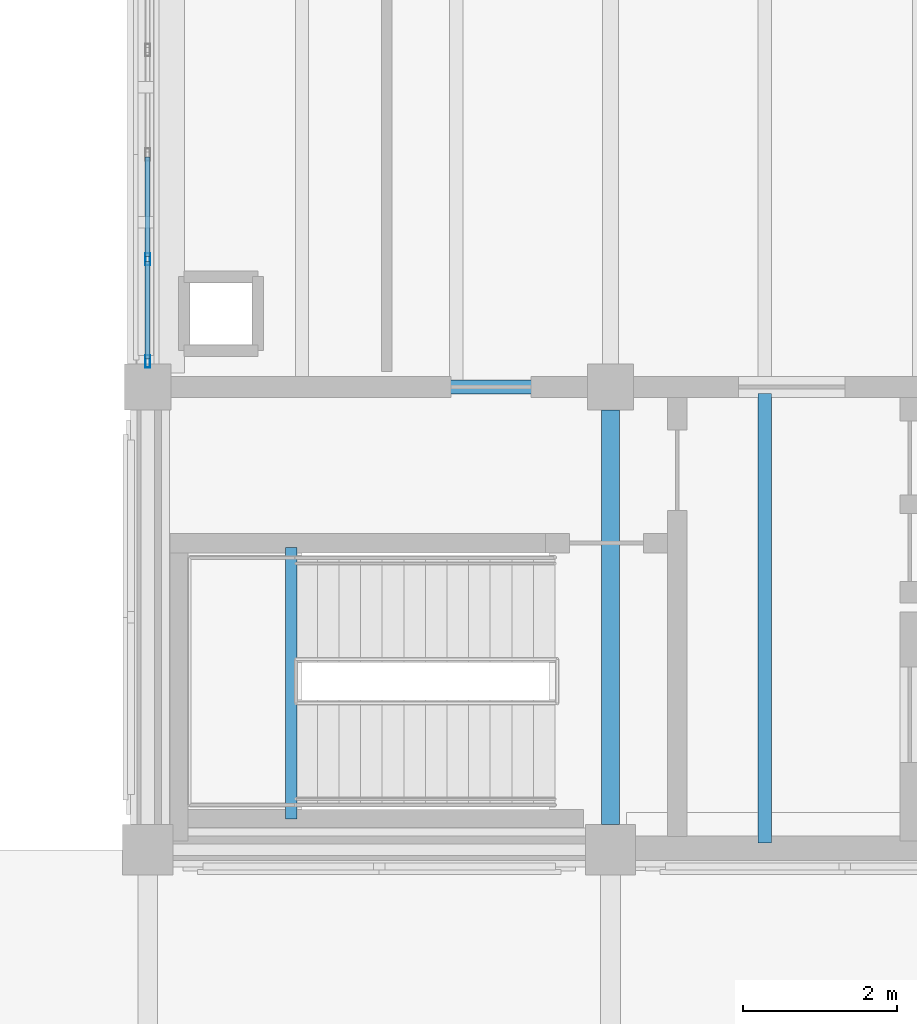
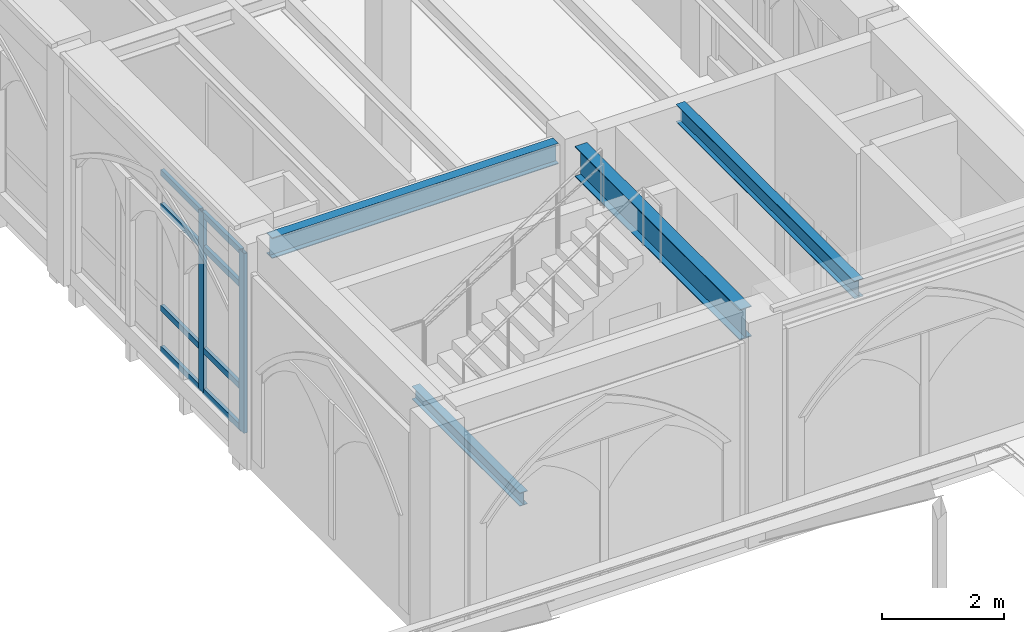
# One storey, part 7 of 143: 10 members, 4 beams, 1 element without a shape of its own.
"""IFC4 building model written with IfcOpenShell, lengths in metres."""

from ifc_helpers import new_model, si_unit, direction, frame, origin, origin_2d, place, context, subcontext, project, spatial, hollow_rectangle, i_section, extrude, material, layer, layer_set, material_profile, profile_set, type_object, element, aggregate, save


model = new_model("IFC4")

# Units and contexts
model_context = context("Model", 3, precision=1e-05, world=origin(), true_north=direction((0.0, 1.0)))
body_context = subcontext(model_context, "Body", "Model", "MODEL_VIEW")
ifc_project = project(units=[si_unit("LENGTHUNIT", "METRE"), si_unit("AREAUNIT", "SQUARE_METRE"), si_unit("VOLUMEUNIT", "CUBIC_METRE"), si_unit("PLANEANGLEUNIT", "RADIAN"), si_unit("MASSUNIT", "GRAM", prefix="KILO")], contexts=[model_context])

# Site, building, storey
site_placement = place(None, origin())
site = spatial("IfcSite", under=ifc_project, at=site_placement, CompositionType="ELEMENT")
building_placement = place(site_placement, origin())
building = spatial("IfcBuilding", under=site, at=building_placement, Name="Cumevento Cable Car Station", CompositionType="ELEMENT")
storey_placement = place(building_placement, frame((0.0, 0.0, 9.0)))
storey = spatial("IfcBuildingStorey", under=building, at=storey_placement, Name="L03", CompositionType="ELEMENT", Elevation=9.0)

# Curtain wall, members
ifc_material_1 = material(Name="Anodised Bronze Aluminium AW-6063-T6", Category="aluminium")
ifc_layer = layer(ifc_material_1, 0.22607421875)
ifc_layer_set = layer_set([ifc_layer], Name="Anodised Bronze Aluminium AW-6063-T6")
curtain_wall_type = type_object("IfcCurtainWallType", Name="Lancet Curtain Wall CW-12 1490", PredefinedType="NOTDEFINED", material=ifc_layer_set)
curtain_wall_placement = place(storey_placement, origin())
curtain_wall = element("IfcCurtainWall", 1, at=curtain_wall_placement, inside=storey, type_object=curtain_wall_type, Name="Lancet Curtain Wall CW-12 L03 #91", PredefinedType="NOTDEFINED")
ifc_material_2 = material(Name="Anodised Bronze Aluminium AW-6063-T6", Category="aluminium")
ifc_material_profile_1 = material_profile(ifc_material_2, hollow_rectangle(XDim=0.06494140625, YDim=0.159912109375, WallThickness=0.00390625, at=origin_2d()), Name="ALUM65x160x4")
ifc_profile_set_1 = profile_set([ifc_material_profile_1], Name="Anodised Bronze Aluminium AW-6063-T6")
member_type_1 = type_object("IfcMemberType", Name="Curtain Mullion CWM-01 ALUM65x160x4", PredefinedType="MULLION", material=ifc_profile_set_1)
member_1_placement = place(storey_placement, frame((10.0, 33.33251953125, 0.31005859375), z_axis=(0.0, 0.0, 1.0), x_axis=(-1.0, 0.0, 0.0)))
member_1 = element("IfcMember", 2, at=member_1_placement, type_object=member_type_1, Name="CW-12 mullion 1", PredefinedType="MULLION", context=body_context, shape_type="SweptSolid", body=[
    extrude(hollow_rectangle(XDim=0.06494140625, YDim=0.159912109375, WallThickness=0.00390625, at=origin_2d()), origin(), (0.0, 0.0, 1.0), 3.5830078125),
])
member_2_placement = place(storey_placement, frame((10.0, 34.65625, 0.31005859375), z_axis=(0.0, 0.0, 1.0), x_axis=(-1.0, 0.0, 0.0)))
member_2 = element("IfcMember", 3, at=member_2_placement, type_object=member_type_1, Name="CW-12 mullion 2", PredefinedType="MULLION", context=body_context, shape_type="SweptSolid", body=[
    extrude(hollow_rectangle(XDim=0.06494140625, YDim=0.159912109375, WallThickness=0.00390625, at=origin_2d()), origin(), (0.0, 0.0, 1.0), 3.5830078125),
])
ifc_material_3 = material(Name="Anodised Bronze Aluminium AW-6063-T6", Category="aluminium")
ifc_material_profile_2 = material_profile(ifc_material_3, hollow_rectangle(XDim=0.06494140625, YDim=0.1201171875, WallThickness=0.00390625, at=origin_2d()), Name="ALUT65x120x4")
ifc_profile_set_2 = profile_set([ifc_material_profile_2], Name="Anodised Bronze Aluminium AW-6063-T6")
member_type_2 = type_object("IfcMemberType", Name="Curtain Transom CWT-01 ALUT65x120x4", PredefinedType="USERDEFINED", material=ifc_profile_set_2)
member_3_placement = place(storey_placement, frame((10.0, 33.364990234375, 0.342529296875), z_axis=(0.0, 1.0, 0.0), x_axis=(-1.0, 0.0, 0.0)))
member_3 = element("IfcMember", 4, at=member_3_placement, type_object=member_type_2, Name="CW-12 transom 1.1", ObjectType="TRANSOM", PredefinedType="USERDEFINED", context=body_context, shape_type="SweptSolid", body=[
    extrude(hollow_rectangle(XDim=0.06494140625, YDim=0.1201171875, WallThickness=0.00390625, at=origin_2d()), origin(), (0.0, 0.0, 1.0), 1.2587890625),
])
member_4_placement = place(storey_placement, frame((10.0, 33.364990234375, 1.159912109375), z_axis=(0.0, 1.0, 0.0), x_axis=(-1.0, 0.0, 0.0)))
member_4 = element("IfcMember", 5, at=member_4_placement, type_object=member_type_2, Name="CW-12 transom 1.2", ObjectType="TRANSOM", PredefinedType="USERDEFINED", context=body_context, shape_type="SweptSolid", body=[
    extrude(hollow_rectangle(XDim=0.06494140625, YDim=0.1201171875, WallThickness=0.00390625, at=origin_2d()), origin(), (0.0, 0.0, 1.0), 1.2587890625),
])
member_5_placement = place(storey_placement, frame((10.0, 33.364990234375, 3.193115234375), z_axis=(0.0, 1.0, 0.0), x_axis=(-1.0, 0.0, 0.0)))
member_5 = element("IfcMember", 6, at=member_5_placement, type_object=member_type_2, Name="CW-12 transom 1.3", ObjectType="TRANSOM", PredefinedType="USERDEFINED", context=body_context, shape_type="SweptSolid", body=[
    extrude(hollow_rectangle(XDim=0.06494140625, YDim=0.1201171875, WallThickness=0.00390625, at=origin_2d()), origin(), (0.0, 0.0, 1.0), 1.2587890625),
])
member_6_placement = place(storey_placement, frame((10.0, 33.364990234375, 3.860595703125), z_axis=(0.0, 1.0, 0.0), x_axis=(-1.0, 0.0, 0.0)))
member_6 = element("IfcMember", 7, at=member_6_placement, type_object=member_type_2, Name="CW-12 transom 1.4", ObjectType="TRANSOM", PredefinedType="USERDEFINED", context=body_context, shape_type="SweptSolid", body=[
    extrude(hollow_rectangle(XDim=0.06494140625, YDim=0.1201171875, WallThickness=0.00390625, at=origin_2d()), origin(), (0.0, 0.0, 1.0), 1.2587890625),
])
member_7_placement = place(storey_placement, frame((10.0, 34.688720703125, 0.342529296875), z_axis=(0.0, 1.0, 0.0), x_axis=(-1.0, 0.0, 0.0)))
member_7 = element("IfcMember", 8, at=member_7_placement, type_object=member_type_2, Name="CW-12 transom 2.1", ObjectType="TRANSOM", PredefinedType="USERDEFINED", context=body_context, shape_type="SweptSolid", body=[
    extrude(hollow_rectangle(XDim=0.06494140625, YDim=0.1201171875, WallThickness=0.00390625, at=origin_2d()), origin(), (0.0, 0.0, 1.0), 1.291259765625),
])
member_8_placement = place(storey_placement, frame((10.0, 34.688720703125, 1.159912109375), z_axis=(0.0, 1.0, 0.0), x_axis=(-1.0, 0.0, 0.0)))
member_8 = element("IfcMember", 9, at=member_8_placement, type_object=member_type_2, Name="CW-12 transom 2.2", ObjectType="TRANSOM", PredefinedType="USERDEFINED", context=body_context, shape_type="SweptSolid", body=[
    extrude(hollow_rectangle(XDim=0.06494140625, YDim=0.1201171875, WallThickness=0.00390625, at=origin_2d()), origin(), (0.0, 0.0, 1.0), 1.291259765625),
])
member_9_placement = place(storey_placement, frame((10.0, 34.688720703125, 3.193115234375), z_axis=(0.0, 1.0, 0.0), x_axis=(-1.0, 0.0, 0.0)))
member_9 = element("IfcMember", 10, at=member_9_placement, type_object=member_type_2, Name="CW-12 transom 2.3", ObjectType="TRANSOM", PredefinedType="USERDEFINED", context=body_context, shape_type="SweptSolid", body=[
    extrude(hollow_rectangle(XDim=0.06494140625, YDim=0.1201171875, WallThickness=0.00390625, at=origin_2d()), origin(), (0.0, 0.0, 1.0), 1.291259765625),
])
member_10_placement = place(storey_placement, frame((10.0, 34.688720703125, 3.860595703125), z_axis=(0.0, 1.0, 0.0), x_axis=(-1.0, 0.0, 0.0)))
member_10 = element("IfcMember", 11, at=member_10_placement, type_object=member_type_2, Name="CW-12 transom 2.4", ObjectType="TRANSOM", PredefinedType="USERDEFINED", context=body_context, shape_type="SweptSolid", body=[
    extrude(hollow_rectangle(XDim=0.06494140625, YDim=0.1201171875, WallThickness=0.00390625, at=origin_2d()), origin(), (0.0, 0.0, 1.0), 1.291259765625),
])
aggregate(curtain_wall, [member_1, member_2, member_3, member_4, member_5, member_6, member_7, member_8, member_9, member_10])

# Beams
ifc_material_4 = material(Name="Steel ASTM A572 Grade 50", Category="steel")
ifc_material_profile_3 = material_profile(ifc_material_4, i_section(OverallWidth=0.22802734375, OverallDepth=0.60791015625, WebThickness=0.01123046875, FlangeThickness=0.017333984375, at=origin_2d()), Name="W610x113.0")
ifc_profile_set_3 = profile_set([ifc_material_profile_3], Name="Steel ASTM A572 Grade 50")
beam_type_1 = type_object("IfcBeamType", Name="Structural Beam BM-02 W610x113.0", PredefinedType="BEAM", material=ifc_profile_set_3)
beam_1_placement = place(storey_placement, frame((16.0, 27.324951171875, 3.99609375), z_axis=(0.0, 1.0, 0.0), x_axis=(-1.0, 0.0, 0.0)))
element("IfcBeam", 12, at=beam_1_placement, inside=storey, type_object=beam_type_1, Name="Beam BM-02 L03 #1009", PredefinedType="BEAM", context=body_context, shape_type="SweptSolid", body=[
    extrude(i_section(OverallWidth=0.22802734375, OverallDepth=0.60791015625, WebThickness=0.01123046875, FlangeThickness=0.017333984375, at=origin_2d()), origin(), (0.0, 0.0, 1.0), 5.375),
])
ifc_material_5 = material(Name="Steel ASTM A572 Grade 50", Category="steel")
ifc_material_profile_4 = material_profile(ifc_material_5, i_section(OverallWidth=0.14794921875, OverallDepth=0.26611328125, WebThickness=0.007568359375, FlangeThickness=0.012939453125, at=origin_2d()), Name="W250x44.8")
ifc_profile_set_4 = profile_set([ifc_material_profile_4], Name="Steel ASTM A572 Grade 50")
beam_type_2 = type_object("IfcBeamType", Name="Structural Beam BM-07 W250x44.8", PredefinedType="BEAM", material=ifc_profile_set_4)
beam_2_placement = place(storey_placement, frame((11.860107421875, 27.39990234375, 1.902099609375), z_axis=(0.0, 1.0, 0.0), x_axis=(-1.0, 0.0, 0.0)))
element("IfcBeam", 13, at=beam_2_placement, inside=storey, type_object=beam_type_2, Name="Core Stair Half-Landing Trimmer ST-03-L03", PredefinedType="BEAM", context=body_context, shape_type="SweptSolid", body=[
    extrude(i_section(OverallWidth=0.14794921875, OverallDepth=0.26611328125, WebThickness=0.007568359375, FlangeThickness=0.012939453125, at=origin_2d()), origin(), (0.0, 0.0, 1.0), 3.52001953125),
])
ifc_material_6 = material(Name="Steel ASTM A572 Grade 50", Category="steel")
ifc_material_profile_5 = material_profile(ifc_material_6, i_section(OverallWidth=0.179931640625, OverallDepth=0.4130859375, WebThickness=0.009765625, FlangeThickness=0.01611328125, at=origin_2d()), Name="W410x74.0")
ifc_profile_set_5 = profile_set([ifc_material_profile_5], Name="Steel ASTM A572 Grade 50")
beam_type_3 = type_object("IfcBeamType", Name="Structural Beam BM-09 W410x74.0", PredefinedType="BEAM", material=ifc_profile_set_5)
beam_3_placement = place(storey_placement, frame((10.300048828125, 33.0, 4.093505859375), z_axis=(1.0, 0.0, 0.0), x_axis=(0.0, 1.0, 0.0)))
element("IfcBeam", 14, at=beam_3_placement, inside=storey, type_object=beam_type_3, Name="Beam BM-09 L03 #1006", PredefinedType="BEAM", context=body_context, shape_type="SweptSolid", body=[
    extrude(i_section(OverallWidth=0.179931640625, OverallDepth=0.4130859375, WebThickness=0.009765625, FlangeThickness=0.01611328125, at=origin_2d()), origin(), (0.0, 0.0, 1.0), 5.39990234375),
])
ifc_material_7 = material(Name="Steel ASTM A572 Grade 50", Category="steel")
ifc_material_profile_6 = material_profile(ifc_material_7, i_section(OverallWidth=0.1708984375, OverallDepth=0.35498046875, WebThickness=0.007080078125, FlangeThickness=0.01171875, at=origin_2d()), Name="W360x51.0")
ifc_profile_set_6 = profile_set([ifc_material_profile_6], Name="Steel ASTM A572 Grade 50")
beam_type_4 = type_object("IfcBeamType", Name="Structural Joist JS-01 W360x51.0", PredefinedType="JOIST", material=ifc_profile_set_6)
beam_4_placement = place(storey_placement, frame((18.0, 27.089599609375, 4.12255859375), z_axis=(0.0, 1.0, 0.0), x_axis=(-1.0, 0.0, 0.0)))
element("IfcBeam", 15, at=beam_4_placement, inside=storey, type_object=beam_type_4, Name="Composite Floor Joist JS-01 L03 #1209", PredefinedType="JOIST", context=body_context, shape_type="SweptSolid", body=[
    extrude(i_section(OverallWidth=0.1708984375, OverallDepth=0.35498046875, WebThickness=0.007080078125, FlangeThickness=0.01171875, at=origin_2d()), origin(), (0.0, 0.0, 1.0), 5.826416015625),
])

save(model, "model.ifc")
